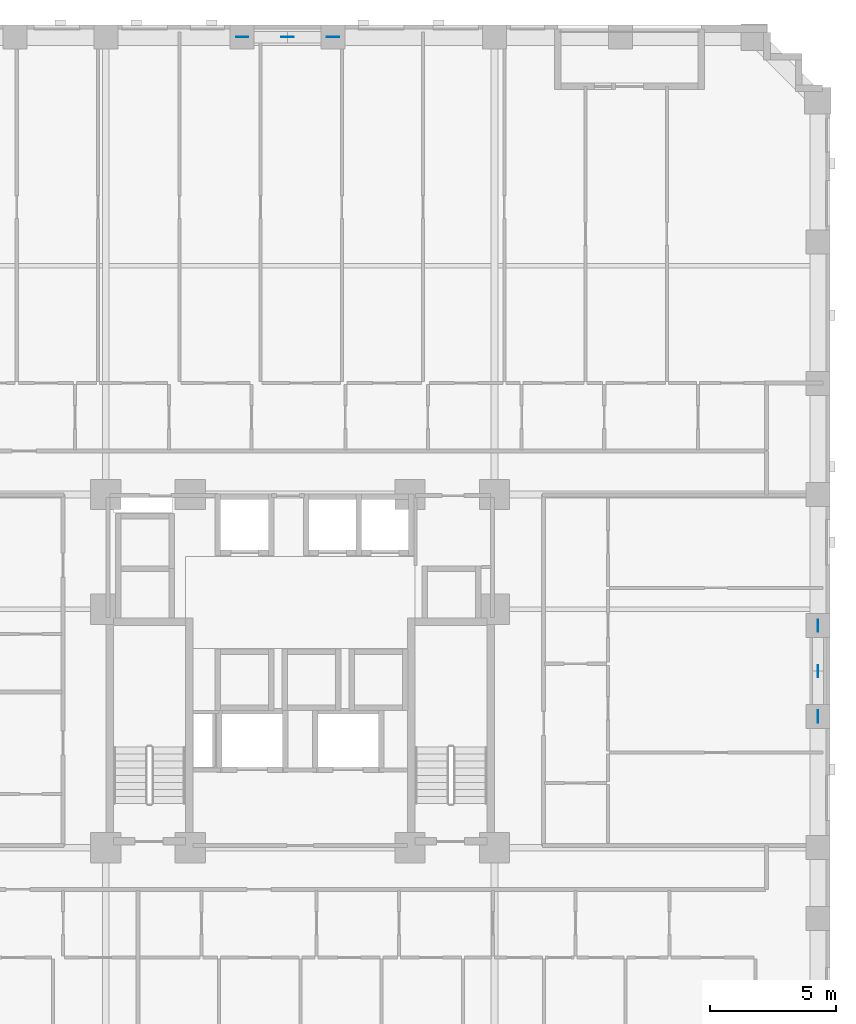
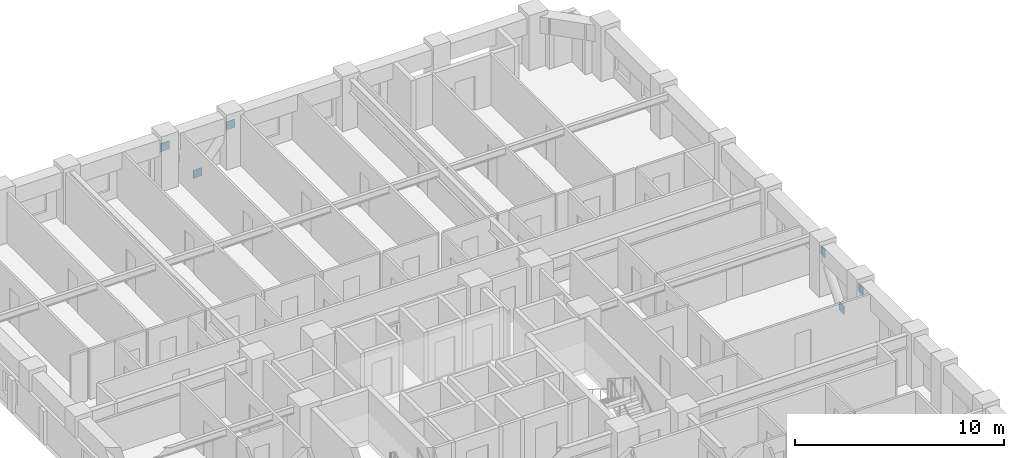
# One storey, part 11 of 14: 6 discrete accessories.
"""IFC4 building model written with IfcOpenShell, lengths in metres."""

from ifc_helpers import new_model, si_unit, derived_unit, direction, frame, origin, origin_2d, place, context, subcontext, project, spatial, rectangle, extrude, material, layer, layer_set, type_object, element, save


model = new_model("IFC4")

# Units and contexts
model_context = context("Model", 3, precision=1e-05, world=origin(), true_north=direction((0.0, 1.0)))
body_context = subcontext(model_context, "Body", "Model", "MODEL_VIEW")
ifc_project = project(units=[si_unit("LENGTHUNIT", "METRE"), si_unit("AREAUNIT", "SQUARE_METRE"), si_unit("VOLUMEUNIT", "CUBIC_METRE"), si_unit("PLANEANGLEUNIT", "RADIAN"), si_unit("MASSUNIT", "GRAM", prefix="KILO"), derived_unit("THERMALTRANSMITTANCEUNIT", [(si_unit("MASSUNIT", "GRAM", prefix="KILO"), 1), (si_unit("TIMEUNIT", "SECOND"), -3), (si_unit("THERMODYNAMICTEMPERATUREUNIT", "KELVIN"), -1)])], contexts=[model_context])

# Site, building, storey
site_placement = place(None, origin())
site = spatial("IfcSite", under=ifc_project, at=site_placement, CompositionType="ELEMENT")
building_placement = place(site_placement, origin())
building = spatial("IfcBuilding", under=site, at=building_placement, Name="Korrvale Station Residences", CompositionType="ELEMENT")
storey_placement = place(building_placement, frame((0.0, 0.0, 45.0)))
storey = spatial("IfcBuildingStorey", under=building, at=storey_placement, Name="L11", CompositionType="ELEMENT", Elevation=45.0)

# Discrete accessories
ifc_material = material(Name="Steel S355", Category="steel")
ifc_layer = layer(ifc_material, 0.02490234375, Name="Steel S355")
ifc_layer_set = layer_set([ifc_layer], Name="Steel S355")
discrete_accessory_type = type_object("IfcDiscreteAccessoryType", Name="ACC-GUSSET-25", PredefinedType="BRACKET", material=ifc_layer_set)
for number, where, z_axis, x_axis, name in (
    (1, (25.0, 47.1201171875, -0.219970703125), (0.0, 0.0, 1.0), (1.0, 0.0, 0.0), "L11 N Brace End Gusset Connection M"),
    (2, (23.199951171875, 47.1201171875, 1.969970703125), (0.0, 0.0, 1.0), (1.0, 0.0, 0.0), "L11 N Brace End Gusset Connection A"),
    (3, (26.800048828125, 47.1201171875, 1.969970703125), (0.0, 0.0, 1.0), (1.0, 0.0, 0.0), "L11 N Brace End Gusset Connection B"),
    (4, (46.02001953125, 22.0, -0.219970703125), (0.0, 0.0, 1.0), (0.0, 1.0, 0.0), "L11 E Brace End Gusset Connection M"),
    (5, (46.02001953125, 20.199951171875, 1.969970703125), (0.0, 0.0, 1.0), (0.0, 1.0, 0.0), "L11 E Brace End Gusset Connection A"),
    (6, (46.02001953125, 23.800048828125, 1.969970703125), (0.0, 0.0, 1.0), (0.0, 1.0, 0.0), "L11 E Brace End Gusset Connection B"),
):
    element("IfcDiscreteAccessory", number, at=place(storey_placement, frame(where, z_axis=z_axis, x_axis=x_axis)), inside=storey, type_object=discrete_accessory_type, Name=name, PredefinedType="BRACKET", context=body_context, shape_type="SweptSolid", body=[
        extrude(rectangle(XDim=0.47998046875, YDim=0.02490234375, at=origin_2d()), origin(), (0.0, 0.0, 1.0), 0.47998046875),
    ])

save(model, "model.ifc")
